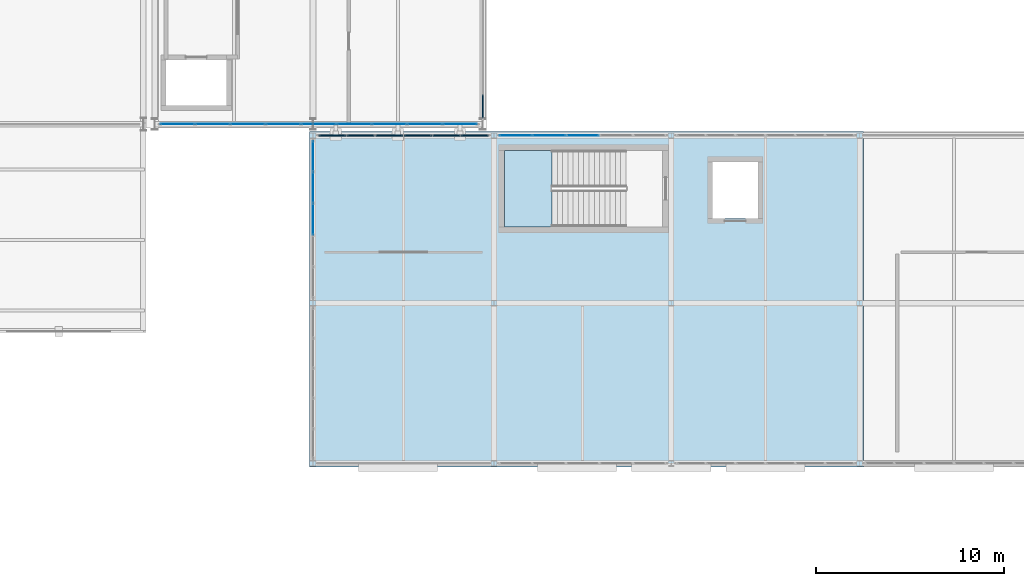
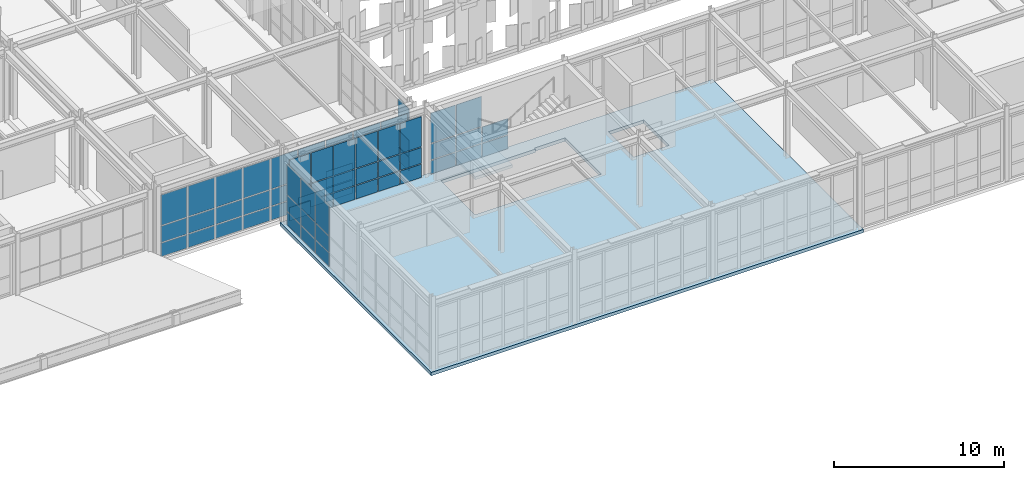
# One storey, part 191 of 239: 65 plates, 2 slabs, 6 elements without a shape of their own.
"""IFC4 building model written with IfcOpenShell, lengths in metres."""

from ifc_helpers import new_model, si_unit, direction, frame, origin, origin_2d, place, context, subcontext, project, spatial, polyline, rectangle, outline, extrude, material, layer, layer_set, type_object, element, aggregate, save


model = new_model("IFC4")

# Units and contexts
model_context = context("Model", 3, precision=1e-05, world=origin(), true_north=direction((0.0, 1.0)))
body_context = subcontext(model_context, "Body", "Model", "MODEL_VIEW")
ifc_project = project(units=[si_unit("LENGTHUNIT", "METRE"), si_unit("AREAUNIT", "SQUARE_METRE"), si_unit("VOLUMEUNIT", "CUBIC_METRE"), si_unit("PLANEANGLEUNIT", "RADIAN"), si_unit("MASSUNIT", "GRAM", prefix="KILO")], contexts=[model_context])

# Site, building, storey
site_placement = place(None, origin())
site = spatial("IfcSite", under=ifc_project, at=site_placement, CompositionType="ELEMENT")
building_placement = place(site_placement, origin())
building = spatial("IfcBuilding", under=site, at=building_placement, Name="Kaldris Quays Convention Centre", CompositionType="ELEMENT")
storey_placement = place(building_placement, frame((0.0, 0.0, 11.39990234375)))
storey = spatial("IfcBuildingStorey", under=building, at=storey_placement, Name="L02", CompositionType="ELEMENT", Elevation=11.39990234375)

# Curtain wall, plates
ifc_material_1 = material(Name="Anodized aluminium AW-6060 and triple glazing", Category="aluminium")
curtain_wall_type_1 = type_object("IfcCurtainWallType", Name="UNITISED CURTAIN WALL CW05", PredefinedType="NOTDEFINED", material=ifc_material_1)
curtain_wall_1_placement = place(storey_placement, origin())
curtain_wall_1 = element("IfcCurtainWall", 1, at=curtain_wall_1_placement, inside=storey, type_object=curtain_wall_type_1, Name="L02 Unitised Curtain Wall CW05 145", PredefinedType="NOTDEFINED")
ifc_material_2 = material(Name="Triple low-E insulated glazing", Category="glass")
plate_type_1 = type_object("IfcPlateType", Name="CURTAIN GLAZING PANEL CWP1", PredefinedType="CURTAIN_PANEL", material=ifc_material_2)
plate_1_placement = place(storey_placement, frame((147.803955078125, 38.0, 0.06005859375), z_axis=(0.0, 0.0, 1.0), x_axis=(1.0, 0.0, 0.0)))
plate_1 = element("IfcPlate", 2, at=plate_1_placement, type_object=plate_type_1, Name="CW05 panel 1.1", PredefinedType="CURTAIN_PANEL", context=body_context, shape_type="SweptSolid", body=[
    extrude(rectangle(XDim=1.787841796875, YDim=0.029052734375, at=origin_2d()), origin(), (0.0, 0.0, 1.0), 0.9599609375),
])
plate_2_placement = place(storey_placement, frame((147.803955078125, 38.0, 1.080078125), z_axis=(0.0, 0.0, 1.0), x_axis=(1.0, 0.0, 0.0)))
plate_2 = element("IfcPlate", 3, at=plate_2_placement, type_object=plate_type_1, Name="CW05 panel 1.2", PredefinedType="CURTAIN_PANEL", context=body_context, shape_type="SweptSolid", body=[
    extrude(rectangle(XDim=1.787841796875, YDim=0.029052734375, at=origin_2d()), origin(), (0.0, 0.0, 1.0), 1.1640625),
])
plate_3_placement = place(storey_placement, frame((147.803955078125, 38.0, 2.303955078125), z_axis=(0.0, 0.0, 1.0), x_axis=(1.0, 0.0, 0.0)))
plate_3 = element("IfcPlate", 4, at=plate_3_placement, type_object=plate_type_1, Name="CW05 panel 1.3", PredefinedType="CURTAIN_PANEL", context=body_context, shape_type="SweptSolid", body=[
    extrude(rectangle(XDim=1.787841796875, YDim=0.029052734375, at=origin_2d()), origin(), (0.0, 0.0, 1.0), 2.18408203125),
])
plate_4_placement = place(storey_placement, frame((149.666748046875, 38.0, 0.06005859375), z_axis=(0.0, 0.0, 1.0), x_axis=(1.0, 0.0, 0.0)))
plate_4 = element("IfcPlate", 5, at=plate_4_placement, type_object=plate_type_1, Name="CW05 panel 2.1", PredefinedType="CURTAIN_PANEL", context=body_context, shape_type="SweptSolid", body=[
    extrude(rectangle(XDim=1.81787109375, YDim=0.029052734375, at=origin_2d()), origin(), (0.0, 0.0, 1.0), 0.9599609375),
])
plate_5_placement = place(storey_placement, frame((149.666748046875, 38.0, 1.080078125), z_axis=(0.0, 0.0, 1.0), x_axis=(1.0, 0.0, 0.0)))
plate_5 = element("IfcPlate", 6, at=plate_5_placement, type_object=plate_type_1, Name="CW05 panel 2.2", PredefinedType="CURTAIN_PANEL", context=body_context, shape_type="SweptSolid", body=[
    extrude(rectangle(XDim=1.81787109375, YDim=0.029052734375, at=origin_2d()), origin(), (0.0, 0.0, 1.0), 1.1640625),
])
plate_6_placement = place(storey_placement, frame((149.666748046875, 38.0, 2.303955078125), z_axis=(0.0, 0.0, 1.0), x_axis=(1.0, 0.0, 0.0)))
plate_6 = element("IfcPlate", 7, at=plate_6_placement, type_object=plate_type_1, Name="CW05 panel 2.3", PredefinedType="CURTAIN_PANEL", context=body_context, shape_type="SweptSolid", body=[
    extrude(rectangle(XDim=1.81787109375, YDim=0.029052734375, at=origin_2d()), origin(), (0.0, 0.0, 1.0), 2.18408203125),
])
plate_7_placement = place(storey_placement, frame((151.54443359375, 38.0, 0.06005859375), z_axis=(0.0, 0.0, 1.0), x_axis=(1.0, 0.0, 0.0)))
plate_7 = element("IfcPlate", 8, at=plate_7_placement, type_object=plate_type_1, Name="CW05 panel 3.1", PredefinedType="CURTAIN_PANEL", context=body_context, shape_type="SweptSolid", body=[
    extrude(rectangle(XDim=1.81787109375, YDim=0.029052734375, at=origin_2d()), origin(), (0.0, 0.0, 1.0), 0.9599609375),
])
plate_8_placement = place(storey_placement, frame((151.54443359375, 38.0, 1.080078125), z_axis=(0.0, 0.0, 1.0), x_axis=(1.0, 0.0, 0.0)))
plate_8 = element("IfcPlate", 9, at=plate_8_placement, type_object=plate_type_1, Name="CW05 panel 3.2", PredefinedType="CURTAIN_PANEL", context=body_context, shape_type="SweptSolid", body=[
    extrude(rectangle(XDim=1.81787109375, YDim=0.029052734375, at=origin_2d()), origin(), (0.0, 0.0, 1.0), 1.1640625),
])
plate_9_placement = place(storey_placement, frame((151.54443359375, 38.0, 2.303955078125), z_axis=(0.0, 0.0, 1.0), x_axis=(1.0, 0.0, 0.0)))
plate_9 = element("IfcPlate", 10, at=plate_9_placement, type_object=plate_type_1, Name="CW05 panel 3.3", PredefinedType="CURTAIN_PANEL", context=body_context, shape_type="SweptSolid", body=[
    extrude(rectangle(XDim=1.81787109375, YDim=0.029052734375, at=origin_2d()), origin(), (0.0, 0.0, 1.0), 2.18408203125),
])
plate_10_placement = place(storey_placement, frame((153.422119140625, 38.0, 0.06005859375), z_axis=(0.0, 0.0, 1.0), x_axis=(1.0, 0.0, 0.0)))
plate_10 = element("IfcPlate", 11, at=plate_10_placement, type_object=plate_type_1, Name="CW05 panel 4.1", PredefinedType="CURTAIN_PANEL", context=body_context, shape_type="SweptSolid", body=[
    extrude(rectangle(XDim=1.81787109375, YDim=0.029052734375, at=origin_2d()), origin(), (0.0, 0.0, 1.0), 0.9599609375),
])
plate_11_placement = place(storey_placement, frame((153.422119140625, 38.0, 1.080078125), z_axis=(0.0, 0.0, 1.0), x_axis=(1.0, 0.0, 0.0)))
plate_11 = element("IfcPlate", 12, at=plate_11_placement, type_object=plate_type_1, Name="CW05 panel 4.2", PredefinedType="CURTAIN_PANEL", context=body_context, shape_type="SweptSolid", body=[
    extrude(rectangle(XDim=1.81787109375, YDim=0.029052734375, at=origin_2d()), origin(), (0.0, 0.0, 1.0), 1.1640625),
])
plate_12_placement = place(storey_placement, frame((153.422119140625, 38.0, 2.303955078125), z_axis=(0.0, 0.0, 1.0), x_axis=(1.0, 0.0, 0.0)))
plate_12 = element("IfcPlate", 13, at=plate_12_placement, type_object=plate_type_1, Name="CW05 panel 4.3", PredefinedType="CURTAIN_PANEL", context=body_context, shape_type="SweptSolid", body=[
    extrude(rectangle(XDim=1.81787109375, YDim=0.029052734375, at=origin_2d()), origin(), (0.0, 0.0, 1.0), 2.18408203125),
])
plate_13_placement = place(storey_placement, frame((155.300048828125, 38.0, 0.06005859375), z_axis=(0.0, 0.0, 1.0), x_axis=(1.0, 0.0, 0.0)))
plate_13 = element("IfcPlate", 14, at=plate_13_placement, type_object=plate_type_1, Name="CW05 panel 5.1", PredefinedType="CURTAIN_PANEL", context=body_context, shape_type="SweptSolid", body=[
    extrude(rectangle(XDim=1.81787109375, YDim=0.029052734375, at=origin_2d()), origin(), (0.0, 0.0, 1.0), 0.9599609375),
])
plate_14_placement = place(storey_placement, frame((155.300048828125, 38.0, 1.080078125), z_axis=(0.0, 0.0, 1.0), x_axis=(1.0, 0.0, 0.0)))
plate_14 = element("IfcPlate", 15, at=plate_14_placement, type_object=plate_type_1, Name="CW05 panel 5.2", PredefinedType="CURTAIN_PANEL", context=body_context, shape_type="SweptSolid", body=[
    extrude(rectangle(XDim=1.81787109375, YDim=0.029052734375, at=origin_2d()), origin(), (0.0, 0.0, 1.0), 1.1640625),
])
plate_15_placement = place(storey_placement, frame((155.300048828125, 38.0, 2.303955078125), z_axis=(0.0, 0.0, 1.0), x_axis=(1.0, 0.0, 0.0)))
plate_15 = element("IfcPlate", 16, at=plate_15_placement, type_object=plate_type_1, Name="CW05 panel 5.3", PredefinedType="CURTAIN_PANEL", context=body_context, shape_type="SweptSolid", body=[
    extrude(rectangle(XDim=1.81787109375, YDim=0.029052734375, at=origin_2d()), origin(), (0.0, 0.0, 1.0), 2.18408203125),
])
plate_16_placement = place(storey_placement, frame((157.177734375, 38.0, 0.06005859375), z_axis=(0.0, 0.0, 1.0), x_axis=(1.0, 0.0, 0.0)))
plate_16 = element("IfcPlate", 17, at=plate_16_placement, type_object=plate_type_1, Name="CW05 panel 6.1", PredefinedType="CURTAIN_PANEL", context=body_context, shape_type="SweptSolid", body=[
    extrude(rectangle(XDim=1.81787109375, YDim=0.029052734375, at=origin_2d()), origin(), (0.0, 0.0, 1.0), 0.9599609375),
])
plate_17_placement = place(storey_placement, frame((157.177734375, 38.0, 1.080078125), z_axis=(0.0, 0.0, 1.0), x_axis=(1.0, 0.0, 0.0)))
plate_17 = element("IfcPlate", 18, at=plate_17_placement, type_object=plate_type_1, Name="CW05 panel 6.2", PredefinedType="CURTAIN_PANEL", context=body_context, shape_type="SweptSolid", body=[
    extrude(rectangle(XDim=1.81787109375, YDim=0.029052734375, at=origin_2d()), origin(), (0.0, 0.0, 1.0), 1.1640625),
])
plate_18_placement = place(storey_placement, frame((157.177734375, 38.0, 2.303955078125), z_axis=(0.0, 0.0, 1.0), x_axis=(1.0, 0.0, 0.0)))
plate_18 = element("IfcPlate", 19, at=plate_18_placement, type_object=plate_type_1, Name="CW05 panel 6.3", PredefinedType="CURTAIN_PANEL", context=body_context, shape_type="SweptSolid", body=[
    extrude(rectangle(XDim=1.81787109375, YDim=0.029052734375, at=origin_2d()), origin(), (0.0, 0.0, 1.0), 2.18408203125),
])
plate_19_placement = place(storey_placement, frame((159.0556640625, 38.0, 0.06005859375), z_axis=(0.0, 0.0, 1.0), x_axis=(1.0, 0.0, 0.0)))
plate_19 = element("IfcPlate", 20, at=plate_19_placement, type_object=plate_type_1, Name="CW05 panel 7.1", PredefinedType="CURTAIN_PANEL", context=body_context, shape_type="SweptSolid", body=[
    extrude(rectangle(XDim=1.81787109375, YDim=0.029052734375, at=origin_2d()), origin(), (0.0, 0.0, 1.0), 0.9599609375),
])
plate_20_placement = place(storey_placement, frame((159.0556640625, 38.0, 1.080078125), z_axis=(0.0, 0.0, 1.0), x_axis=(1.0, 0.0, 0.0)))
plate_20 = element("IfcPlate", 21, at=plate_20_placement, type_object=plate_type_1, Name="CW05 panel 7.2", PredefinedType="CURTAIN_PANEL", context=body_context, shape_type="SweptSolid", body=[
    extrude(rectangle(XDim=1.81787109375, YDim=0.029052734375, at=origin_2d()), origin(), (0.0, 0.0, 1.0), 1.1640625),
])
plate_21_placement = place(storey_placement, frame((159.0556640625, 38.0, 2.303955078125), z_axis=(0.0, 0.0, 1.0), x_axis=(1.0, 0.0, 0.0)))
plate_21 = element("IfcPlate", 22, at=plate_21_placement, type_object=plate_type_1, Name="CW05 panel 7.3", PredefinedType="CURTAIN_PANEL", context=body_context, shape_type="SweptSolid", body=[
    extrude(rectangle(XDim=1.81787109375, YDim=0.029052734375, at=origin_2d()), origin(), (0.0, 0.0, 1.0), 2.18408203125),
])
plate_22_placement = place(storey_placement, frame((160.933349609375, 38.0, 0.06005859375), z_axis=(0.0, 0.0, 1.0), x_axis=(1.0, 0.0, 0.0)))
plate_22 = element("IfcPlate", 23, at=plate_22_placement, type_object=plate_type_1, Name="CW05 panel 8.1", PredefinedType="CURTAIN_PANEL", context=body_context, shape_type="SweptSolid", body=[
    extrude(rectangle(XDim=1.81787109375, YDim=0.029052734375, at=origin_2d()), origin(), (0.0, 0.0, 1.0), 0.9599609375),
])
plate_23_placement = place(storey_placement, frame((160.933349609375, 38.0, 1.080078125), z_axis=(0.0, 0.0, 1.0), x_axis=(1.0, 0.0, 0.0)))
plate_23 = element("IfcPlate", 24, at=plate_23_placement, type_object=plate_type_1, Name="CW05 panel 8.2", PredefinedType="CURTAIN_PANEL", context=body_context, shape_type="SweptSolid", body=[
    extrude(rectangle(XDim=1.81787109375, YDim=0.029052734375, at=origin_2d()), origin(), (0.0, 0.0, 1.0), 1.1640625),
])
plate_24_placement = place(storey_placement, frame((160.933349609375, 38.0, 2.303955078125), z_axis=(0.0, 0.0, 1.0), x_axis=(1.0, 0.0, 0.0)))
plate_24 = element("IfcPlate", 25, at=plate_24_placement, type_object=plate_type_1, Name="CW05 panel 8.3", PredefinedType="CURTAIN_PANEL", context=body_context, shape_type="SweptSolid", body=[
    extrude(rectangle(XDim=1.81787109375, YDim=0.029052734375, at=origin_2d()), origin(), (0.0, 0.0, 1.0), 2.18408203125),
])
plate_25_placement = place(storey_placement, frame((162.796142578125, 38.0, 0.06005859375), z_axis=(0.0, 0.0, 1.0), x_axis=(1.0, 0.0, 0.0)))
plate_25 = element("IfcPlate", 26, at=plate_25_placement, type_object=plate_type_1, Name="CW05 panel 9.1", PredefinedType="CURTAIN_PANEL", context=body_context, shape_type="SweptSolid", body=[
    extrude(rectangle(XDim=1.787841796875, YDim=0.029052734375, at=origin_2d()), origin(), (0.0, 0.0, 1.0), 0.9599609375),
])
plate_26_placement = place(storey_placement, frame((162.796142578125, 38.0, 1.080078125), z_axis=(0.0, 0.0, 1.0), x_axis=(1.0, 0.0, 0.0)))
plate_26 = element("IfcPlate", 27, at=plate_26_placement, type_object=plate_type_1, Name="CW05 panel 9.2", PredefinedType="CURTAIN_PANEL", context=body_context, shape_type="SweptSolid", body=[
    extrude(rectangle(XDim=1.787841796875, YDim=0.029052734375, at=origin_2d()), origin(), (0.0, 0.0, 1.0), 1.1640625),
])
plate_27_placement = place(storey_placement, frame((162.796142578125, 38.0, 2.303955078125), z_axis=(0.0, 0.0, 1.0), x_axis=(1.0, 0.0, 0.0)))
plate_27 = element("IfcPlate", 28, at=plate_27_placement, type_object=plate_type_1, Name="CW05 panel 9.3", PredefinedType="CURTAIN_PANEL", context=body_context, shape_type="SweptSolid", body=[
    extrude(rectangle(XDim=1.787841796875, YDim=0.029052734375, at=origin_2d()), origin(), (0.0, 0.0, 1.0), 2.18408203125),
])
aggregate(curtain_wall_1, [plate_1, plate_2, plate_3, plate_4, plate_5, plate_6, plate_7, plate_8, plate_9, plate_10, plate_11, plate_12, plate_13, plate_14, plate_15, plate_16, plate_17, plate_18, plate_19, plate_20, plate_21, plate_22, plate_23, plate_24, plate_25, plate_26, plate_27])

curtain_wall_type_2 = type_object("IfcCurtainWallType", Name="UNITISED CURTAIN WALL CW02", PredefinedType="NOTDEFINED", material=ifc_material_1)
curtain_wall_2_placement = place(storey_placement, origin())
curtain_wall_2 = element("IfcCurtainWall", 29, at=curtain_wall_2_placement, inside=storey, type_object=curtain_wall_type_2, Name="L02 Unitised Curtain Wall CW02 202", PredefinedType="NOTDEFINED")
plate_type_2 = type_object("IfcPlateType", Name="CURTAIN GLAZING PANEL CWP2", PredefinedType="CURTAIN_PANEL", material=ifc_material_2)
plate_28_placement = place(storey_placement, frame((165.7548828125, 37.39990234375, 0.06005859375), z_axis=(0.0, 0.0, 1.0), x_axis=(1.0, 0.0, 0.0)))
plate_28 = element("IfcPlate", 30, at=plate_28_placement, type_object=plate_type_2, Name="CW02 panel 1.1", PredefinedType="CURTAIN_PANEL", context=body_context, shape_type="SweptSolid", body=[
    extrude(rectangle(XDim=1.68994140625, YDim=0.033935546875, at=origin_2d()), origin(), (0.0, 0.0, 1.0), 0.9599609375),
])
plate_29_placement = place(storey_placement, frame((165.7548828125, 37.39990234375, 1.080078125), z_axis=(0.0, 0.0, 1.0), x_axis=(1.0, 0.0, 0.0)))
plate_29 = element("IfcPlate", 31, at=plate_29_placement, type_object=plate_type_2, Name="CW02 panel 1.2", PredefinedType="CURTAIN_PANEL", context=body_context, shape_type="SweptSolid", body=[
    extrude(rectangle(XDim=1.68994140625, YDim=0.033935546875, at=origin_2d()), origin(), (0.0, 0.0, 1.0), 1.138916015625),
])
plate_30_placement = place(storey_placement, frame((165.7548828125, 37.39990234375, 2.279296875), z_axis=(0.0, 0.0, 1.0), x_axis=(1.0, 0.0, 0.0)))
plate_30 = element("IfcPlate", 32, at=plate_30_placement, type_object=plate_type_2, Name="CW02 panel 1.3", PredefinedType="CURTAIN_PANEL", context=body_context, shape_type="SweptSolid", body=[
    extrude(rectangle(XDim=1.68994140625, YDim=0.033935546875, at=origin_2d()), origin(), (0.0, 0.0, 1.0), 2.158935546875),
])
plate_31_placement = place(storey_placement, frame((167.52001953125, 37.39990234375, 0.06005859375), z_axis=(0.0, 0.0, 1.0), x_axis=(1.0, 0.0, 0.0)))
plate_31 = element("IfcPlate", 33, at=plate_31_placement, type_object=plate_type_2, Name="CW02 panel 2.1", PredefinedType="CURTAIN_PANEL", context=body_context, shape_type="SweptSolid", body=[
    extrude(rectangle(XDim=1.719970703125, YDim=0.033935546875, at=origin_2d()), origin(), (0.0, 0.0, 1.0), 0.9599609375),
])
plate_32_placement = place(storey_placement, frame((167.52001953125, 37.39990234375, 1.080078125), z_axis=(0.0, 0.0, 1.0), x_axis=(1.0, 0.0, 0.0)))
plate_32 = element("IfcPlate", 34, at=plate_32_placement, type_object=plate_type_2, Name="CW02 panel 2.2", PredefinedType="CURTAIN_PANEL", context=body_context, shape_type="SweptSolid", body=[
    extrude(rectangle(XDim=1.719970703125, YDim=0.033935546875, at=origin_2d()), origin(), (0.0, 0.0, 1.0), 1.138916015625),
])
plate_33_placement = place(storey_placement, frame((167.52001953125, 37.39990234375, 2.279296875), z_axis=(0.0, 0.0, 1.0), x_axis=(1.0, 0.0, 0.0)))
plate_33 = element("IfcPlate", 35, at=plate_33_placement, type_object=plate_type_2, Name="CW02 panel 2.3", PredefinedType="CURTAIN_PANEL", context=body_context, shape_type="SweptSolid", body=[
    extrude(rectangle(XDim=1.719970703125, YDim=0.033935546875, at=origin_2d()), origin(), (0.0, 0.0, 1.0), 2.158935546875),
])
plate_34_placement = place(storey_placement, frame((169.300048828125, 37.39990234375, 0.06005859375), z_axis=(0.0, 0.0, 1.0), x_axis=(1.0, 0.0, 0.0)))
plate_34 = element("IfcPlate", 36, at=plate_34_placement, type_object=plate_type_2, Name="CW02 panel 3.1", PredefinedType="CURTAIN_PANEL", context=body_context, shape_type="SweptSolid", body=[
    extrude(rectangle(XDim=1.719970703125, YDim=0.033935546875, at=origin_2d()), origin(), (0.0, 0.0, 1.0), 0.9599609375),
])
plate_35_placement = place(storey_placement, frame((169.300048828125, 37.39990234375, 1.080078125), z_axis=(0.0, 0.0, 1.0), x_axis=(1.0, 0.0, 0.0)))
plate_35 = element("IfcPlate", 37, at=plate_35_placement, type_object=plate_type_2, Name="CW02 panel 3.2", PredefinedType="CURTAIN_PANEL", context=body_context, shape_type="SweptSolid", body=[
    extrude(rectangle(XDim=1.719970703125, YDim=0.033935546875, at=origin_2d()), origin(), (0.0, 0.0, 1.0), 1.138916015625),
])
aggregate(curtain_wall_2, [plate_28, plate_29, plate_30, plate_31, plate_32, plate_33, plate_34, plate_35])

curtain_wall_3_placement = place(storey_placement, origin())
curtain_wall_3 = element("IfcCurtainWall", 38, at=curtain_wall_3_placement, inside=storey, type_object=curtain_wall_type_2, Name="L02 Unitised Curtain Wall CW02 211", PredefinedType="NOTDEFINED")
plate_type_3 = type_object("IfcPlateType", Name="CURTAIN GLAZING PANEL CWP3", PredefinedType="CURTAIN_PANEL", material=ifc_material_2)
plate_36_placement = place(storey_placement, frame((155.0, 32.949951171875, 0.06005859375), z_axis=(0.0, 0.0, 1.0), x_axis=(0.0, 1.0, 0.0)))
plate_36 = element("IfcPlate", 39, at=plate_36_placement, type_object=plate_type_3, Name="CW02 panel 3.1", PredefinedType="CURTAIN_PANEL", context=body_context, shape_type="SweptSolid", body=[
    extrude(rectangle(XDim=1.6201171875, YDim=0.0390625, at=origin_2d()), origin(), (0.0, 0.0, 1.0), 0.9599609375),
])
plate_37_placement = place(storey_placement, frame((155.0, 32.949951171875, 1.080078125), z_axis=(0.0, 0.0, 1.0), x_axis=(0.0, 1.0, 0.0)))
plate_37 = element("IfcPlate", 40, at=plate_37_placement, type_object=plate_type_3, Name="CW02 panel 3.2", PredefinedType="CURTAIN_PANEL", context=body_context, shape_type="SweptSolid", body=[
    extrude(rectangle(XDim=1.6201171875, YDim=0.0390625, at=origin_2d()), origin(), (0.0, 0.0, 1.0), 1.138916015625),
])
plate_38_placement = place(storey_placement, frame((155.0, 32.949951171875, 2.279296875), z_axis=(0.0, 0.0, 1.0), x_axis=(0.0, 1.0, 0.0)))
plate_38 = element("IfcPlate", 41, at=plate_38_placement, type_object=plate_type_3, Name="CW02 panel 3.3", PredefinedType="CURTAIN_PANEL", context=body_context, shape_type="SweptSolid", body=[
    extrude(rectangle(XDim=1.6201171875, YDim=0.0390625, at=origin_2d()), origin(), (0.0, 0.0, 1.0), 2.158935546875),
])
plate_39_placement = place(storey_placement, frame((155.0, 34.6298828125, 0.06005859375), z_axis=(0.0, 0.0, 1.0), x_axis=(0.0, 1.0, 0.0)))
plate_39 = element("IfcPlate", 42, at=plate_39_placement, type_object=plate_type_3, Name="CW02 panel 4.1", PredefinedType="CURTAIN_PANEL", context=body_context, shape_type="SweptSolid", body=[
    extrude(rectangle(XDim=1.6201171875, YDim=0.0390625, at=origin_2d()), origin(), (0.0, 0.0, 1.0), 0.9599609375),
])
plate_40_placement = place(storey_placement, frame((155.0, 34.6298828125, 1.080078125), z_axis=(0.0, 0.0, 1.0), x_axis=(0.0, 1.0, 0.0)))
plate_40 = element("IfcPlate", 43, at=plate_40_placement, type_object=plate_type_3, Name="CW02 panel 4.2", PredefinedType="CURTAIN_PANEL", context=body_context, shape_type="SweptSolid", body=[
    extrude(rectangle(XDim=1.6201171875, YDim=0.0390625, at=origin_2d()), origin(), (0.0, 0.0, 1.0), 1.138916015625),
])
plate_41_placement = place(storey_placement, frame((155.0, 34.6298828125, 2.279296875), z_axis=(0.0, 0.0, 1.0), x_axis=(0.0, 1.0, 0.0)))
plate_41 = element("IfcPlate", 44, at=plate_41_placement, type_object=plate_type_3, Name="CW02 panel 4.3", PredefinedType="CURTAIN_PANEL", context=body_context, shape_type="SweptSolid", body=[
    extrude(rectangle(XDim=1.6201171875, YDim=0.0390625, at=origin_2d()), origin(), (0.0, 0.0, 1.0), 2.158935546875),
])
plate_42_placement = place(storey_placement, frame((155.0, 36.294921875, 0.06005859375), z_axis=(0.0, 0.0, 1.0), x_axis=(0.0, 1.0, 0.0)))
plate_42 = element("IfcPlate", 45, at=plate_42_placement, type_object=plate_type_3, Name="CW02 panel 5.1", PredefinedType="CURTAIN_PANEL", context=body_context, shape_type="SweptSolid", body=[
    extrude(rectangle(XDim=1.590087890625, YDim=0.0390625, at=origin_2d()), origin(), (0.0, 0.0, 1.0), 0.9599609375),
])
plate_43_placement = place(storey_placement, frame((155.0, 36.294921875, 1.080078125), z_axis=(0.0, 0.0, 1.0), x_axis=(0.0, 1.0, 0.0)))
plate_43 = element("IfcPlate", 46, at=plate_43_placement, type_object=plate_type_3, Name="CW02 panel 5.2", PredefinedType="CURTAIN_PANEL", context=body_context, shape_type="SweptSolid", body=[
    extrude(rectangle(XDim=1.590087890625, YDim=0.0390625, at=origin_2d()), origin(), (0.0, 0.0, 1.0), 1.138916015625),
])
plate_44_placement = place(storey_placement, frame((155.0, 36.294921875, 2.279296875), z_axis=(0.0, 0.0, 1.0), x_axis=(0.0, 1.0, 0.0)))
plate_44 = element("IfcPlate", 47, at=plate_44_placement, type_object=plate_type_3, Name="CW02 panel 5.3", PredefinedType="CURTAIN_PANEL", context=body_context, shape_type="SweptSolid", body=[
    extrude(rectangle(XDim=1.590087890625, YDim=0.0390625, at=origin_2d()), origin(), (0.0, 0.0, 1.0), 2.158935546875),
])
aggregate(curtain_wall_3, [plate_36, plate_37, plate_38, plate_39, plate_40, plate_41, plate_42, plate_43, plate_44])

curtain_wall_type_3 = type_object("IfcCurtainWallType", Name="UNITISED CURTAIN WALL CW04", PredefinedType="NOTDEFINED", material=ifc_material_1)
curtain_wall_4_placement = place(storey_placement, origin())
curtain_wall_4 = element("IfcCurtainWall", 48, at=curtain_wall_4_placement, inside=storey, type_object=curtain_wall_type_3, Name="L02 Unitised Curtain Wall CW04 142", PredefinedType="NOTDEFINED")
plate_type_4 = type_object("IfcPlateType", Name="CURTAIN GLAZING PANEL CWP6", PredefinedType="CURTAIN_PANEL", material=ifc_material_2)
plate_45_placement = place(storey_placement, frame((164.0, 38.93994140625, 0.06005859375), z_axis=(0.0, 0.0, 1.0), x_axis=(0.0, 1.0, 0.0)))
plate_45 = element("IfcPlate", 49, at=plate_45_placement, type_object=plate_type_4, Name="CW04 panel 1.1", PredefinedType="CURTAIN_PANEL", context=body_context, shape_type="SweptSolid", body=[
    extrude(rectangle(XDim=1.260009765625, YDim=0.053955078125, at=origin_2d()), origin(), (0.0, 0.0, 1.0), 0.9599609375),
])
plate_46_placement = place(storey_placement, frame((164.0, 38.93994140625, 1.080078125), z_axis=(0.0, 0.0, 1.0), x_axis=(0.0, 1.0, 0.0)))
plate_46 = element("IfcPlate", 50, at=plate_46_placement, type_object=plate_type_4, Name="CW04 panel 1.2", PredefinedType="CURTAIN_PANEL", context=body_context, shape_type="SweptSolid", body=[
    extrude(rectangle(XDim=1.260009765625, YDim=0.053955078125, at=origin_2d()), origin(), (0.0, 0.0, 1.0), 1.1640625),
])
plate_47_placement = place(storey_placement, frame((164.0, 38.93994140625, 2.303955078125), z_axis=(0.0, 0.0, 1.0), x_axis=(0.0, 1.0, 0.0)))
plate_47 = element("IfcPlate", 51, at=plate_47_placement, type_object=plate_type_4, Name="CW04 panel 1.3", PredefinedType="CURTAIN_PANEL", context=body_context, shape_type="SweptSolid", body=[
    extrude(rectangle(XDim=1.260009765625, YDim=0.053955078125, at=origin_2d()), origin(), (0.0, 0.0, 1.0), 2.18408203125),
])
aggregate(curtain_wall_4, [plate_45, plate_46, plate_47])

curtain_wall_5_placement = place(storey_placement, origin())
curtain_wall_5 = element("IfcCurtainWall", 52, at=curtain_wall_5_placement, inside=storey, type_object=curtain_wall_type_2, Name="L02 Unitised Curtain Wall CW02 200", PredefinedType="NOTDEFINED")
plate_type_5 = type_object("IfcPlateType", Name="CURTAIN GLAZING PANEL CWP8", PredefinedType="CURTAIN_PANEL", material=ifc_material_2)
plate_48_placement = place(storey_placement, frame((156.0234375, 37.39990234375, 0.06005859375), z_axis=(0.0, 0.0, 1.0), x_axis=(1.0, 0.0, 0.0)))
plate_48 = element("IfcPlate", 53, at=plate_48_placement, type_object=plate_type_5, Name="CW02 panel 1.1", PredefinedType="CURTAIN_PANEL", context=body_context, shape_type="SweptSolid", body=[
    extrude(rectangle(XDim=1.4267578125, YDim=0.06396484375, at=origin_2d()), origin(), (0.0, 0.0, 1.0), 0.9599609375),
])
plate_49_placement = place(storey_placement, frame((156.0234375, 37.39990234375, 1.080078125), z_axis=(0.0, 0.0, 1.0), x_axis=(1.0, 0.0, 0.0)))
plate_49 = element("IfcPlate", 54, at=plate_49_placement, type_object=plate_type_5, Name="CW02 panel 1.2", PredefinedType="CURTAIN_PANEL", context=body_context, shape_type="SweptSolid", body=[
    extrude(rectangle(XDim=1.4267578125, YDim=0.06396484375, at=origin_2d()), origin(), (0.0, 0.0, 1.0), 1.138916015625),
])
plate_50_placement = place(storey_placement, frame((156.0234375, 37.39990234375, 2.279296875), z_axis=(0.0, 0.0, 1.0), x_axis=(1.0, 0.0, 0.0)))
plate_50 = element("IfcPlate", 55, at=plate_50_placement, type_object=plate_type_5, Name="CW02 panel 1.3", PredefinedType="CURTAIN_PANEL", context=body_context, shape_type="SweptSolid", body=[
    extrude(rectangle(XDim=1.4267578125, YDim=0.06396484375, at=origin_2d()), origin(), (0.0, 0.0, 1.0), 2.158935546875),
])
plate_51_placement = place(storey_placement, frame((157.52490234375, 37.39990234375, 0.06005859375), z_axis=(0.0, 0.0, 1.0), x_axis=(1.0, 0.0, 0.0)))
plate_51 = element("IfcPlate", 56, at=plate_51_placement, type_object=plate_type_5, Name="CW02 panel 2.1", PredefinedType="CURTAIN_PANEL", context=body_context, shape_type="SweptSolid", body=[
    extrude(rectangle(XDim=1.456787109375, YDim=0.06396484375, at=origin_2d()), origin(), (0.0, 0.0, 1.0), 0.9599609375),
])
plate_52_placement = place(storey_placement, frame((157.52490234375, 37.39990234375, 1.080078125), z_axis=(0.0, 0.0, 1.0), x_axis=(1.0, 0.0, 0.0)))
plate_52 = element("IfcPlate", 57, at=plate_52_placement, type_object=plate_type_5, Name="CW02 panel 2.2", PredefinedType="CURTAIN_PANEL", context=body_context, shape_type="SweptSolid", body=[
    extrude(rectangle(XDim=1.456787109375, YDim=0.06396484375, at=origin_2d()), origin(), (0.0, 0.0, 1.0), 1.138916015625),
])
plate_53_placement = place(storey_placement, frame((157.52490234375, 37.39990234375, 2.279296875), z_axis=(0.0, 0.0, 1.0), x_axis=(1.0, 0.0, 0.0)))
plate_53 = element("IfcPlate", 58, at=plate_53_placement, type_object=plate_type_5, Name="CW02 panel 2.3", PredefinedType="CURTAIN_PANEL", context=body_context, shape_type="SweptSolid", body=[
    extrude(rectangle(XDim=1.456787109375, YDim=0.06396484375, at=origin_2d()), origin(), (0.0, 0.0, 1.0), 2.158935546875),
])
plate_54_placement = place(storey_placement, frame((159.041748046875, 37.39990234375, 0.06005859375), z_axis=(0.0, 0.0, 1.0), x_axis=(1.0, 0.0, 0.0)))
plate_54 = element("IfcPlate", 59, at=plate_54_placement, type_object=plate_type_5, Name="CW02 panel 3.1", PredefinedType="CURTAIN_PANEL", context=body_context, shape_type="SweptSolid", body=[
    extrude(rectangle(XDim=1.456787109375, YDim=0.06396484375, at=origin_2d()), origin(), (0.0, 0.0, 1.0), 0.9599609375),
])
plate_55_placement = place(storey_placement, frame((159.041748046875, 37.39990234375, 1.080078125), z_axis=(0.0, 0.0, 1.0), x_axis=(1.0, 0.0, 0.0)))
plate_55 = element("IfcPlate", 60, at=plate_55_placement, type_object=plate_type_5, Name="CW02 panel 3.2", PredefinedType="CURTAIN_PANEL", context=body_context, shape_type="SweptSolid", body=[
    extrude(rectangle(XDim=1.456787109375, YDim=0.06396484375, at=origin_2d()), origin(), (0.0, 0.0, 1.0), 1.138916015625),
])
plate_56_placement = place(storey_placement, frame((159.041748046875, 37.39990234375, 2.279296875), z_axis=(0.0, 0.0, 1.0), x_axis=(1.0, 0.0, 0.0)))
plate_56 = element("IfcPlate", 61, at=plate_56_placement, type_object=plate_type_5, Name="CW02 panel 3.3", PredefinedType="CURTAIN_PANEL", context=body_context, shape_type="SweptSolid", body=[
    extrude(rectangle(XDim=1.456787109375, YDim=0.06396484375, at=origin_2d()), origin(), (0.0, 0.0, 1.0), 2.158935546875),
])
plate_57_placement = place(storey_placement, frame((160.558349609375, 37.39990234375, 0.06005859375), z_axis=(0.0, 0.0, 1.0), x_axis=(1.0, 0.0, 0.0)))
plate_57 = element("IfcPlate", 62, at=plate_57_placement, type_object=plate_type_5, Name="CW02 panel 4.1", PredefinedType="CURTAIN_PANEL", context=body_context, shape_type="SweptSolid", body=[
    extrude(rectangle(XDim=1.456787109375, YDim=0.06396484375, at=origin_2d()), origin(), (0.0, 0.0, 1.0), 0.9599609375),
])
plate_58_placement = place(storey_placement, frame((160.558349609375, 37.39990234375, 1.080078125), z_axis=(0.0, 0.0, 1.0), x_axis=(1.0, 0.0, 0.0)))
plate_58 = element("IfcPlate", 63, at=plate_58_placement, type_object=plate_type_5, Name="CW02 panel 4.2", PredefinedType="CURTAIN_PANEL", context=body_context, shape_type="SweptSolid", body=[
    extrude(rectangle(XDim=1.456787109375, YDim=0.06396484375, at=origin_2d()), origin(), (0.0, 0.0, 1.0), 1.138916015625),
])
plate_59_placement = place(storey_placement, frame((160.558349609375, 37.39990234375, 2.279296875), z_axis=(0.0, 0.0, 1.0), x_axis=(1.0, 0.0, 0.0)))
plate_59 = element("IfcPlate", 64, at=plate_59_placement, type_object=plate_type_5, Name="CW02 panel 4.3", PredefinedType="CURTAIN_PANEL", context=body_context, shape_type="SweptSolid", body=[
    extrude(rectangle(XDim=1.456787109375, YDim=0.06396484375, at=origin_2d()), origin(), (0.0, 0.0, 1.0), 2.158935546875),
])
plate_60_placement = place(storey_placement, frame((162.074951171875, 37.39990234375, 0.06005859375), z_axis=(0.0, 0.0, 1.0), x_axis=(1.0, 0.0, 0.0)))
plate_60 = element("IfcPlate", 65, at=plate_60_placement, type_object=plate_type_5, Name="CW02 panel 5.1", PredefinedType="CURTAIN_PANEL", context=body_context, shape_type="SweptSolid", body=[
    extrude(rectangle(XDim=1.456787109375, YDim=0.06396484375, at=origin_2d()), origin(), (0.0, 0.0, 1.0), 0.9599609375),
])
plate_61_placement = place(storey_placement, frame((162.074951171875, 37.39990234375, 1.080078125), z_axis=(0.0, 0.0, 1.0), x_axis=(1.0, 0.0, 0.0)))
plate_61 = element("IfcPlate", 66, at=plate_61_placement, type_object=plate_type_5, Name="CW02 panel 5.2", PredefinedType="CURTAIN_PANEL", context=body_context, shape_type="SweptSolid", body=[
    extrude(rectangle(XDim=1.456787109375, YDim=0.06396484375, at=origin_2d()), origin(), (0.0, 0.0, 1.0), 1.138916015625),
])
plate_62_placement = place(storey_placement, frame((162.074951171875, 37.39990234375, 2.279296875), z_axis=(0.0, 0.0, 1.0), x_axis=(1.0, 0.0, 0.0)))
plate_62 = element("IfcPlate", 67, at=plate_62_placement, type_object=plate_type_5, Name="CW02 panel 5.3", PredefinedType="CURTAIN_PANEL", context=body_context, shape_type="SweptSolid", body=[
    extrude(rectangle(XDim=1.456787109375, YDim=0.06396484375, at=origin_2d()), origin(), (0.0, 0.0, 1.0), 2.158935546875),
])
plate_63_placement = place(storey_placement, frame((163.57666015625, 37.39990234375, 0.06005859375), z_axis=(0.0, 0.0, 1.0), x_axis=(1.0, 0.0, 0.0)))
plate_63 = element("IfcPlate", 68, at=plate_63_placement, type_object=plate_type_5, Name="CW02 panel 6.1", PredefinedType="CURTAIN_PANEL", context=body_context, shape_type="SweptSolid", body=[
    extrude(rectangle(XDim=1.4267578125, YDim=0.06396484375, at=origin_2d()), origin(), (0.0, 0.0, 1.0), 0.9599609375),
])
plate_64_placement = place(storey_placement, frame((163.57666015625, 37.39990234375, 1.080078125), z_axis=(0.0, 0.0, 1.0), x_axis=(1.0, 0.0, 0.0)))
plate_64 = element("IfcPlate", 69, at=plate_64_placement, type_object=plate_type_5, Name="CW02 panel 6.2", PredefinedType="CURTAIN_PANEL", context=body_context, shape_type="SweptSolid", body=[
    extrude(rectangle(XDim=1.4267578125, YDim=0.06396484375, at=origin_2d()), origin(), (0.0, 0.0, 1.0), 1.138916015625),
])
plate_65_placement = place(storey_placement, frame((163.57666015625, 37.39990234375, 2.279296875), z_axis=(0.0, 0.0, 1.0), x_axis=(1.0, 0.0, 0.0)))
plate_65 = element("IfcPlate", 70, at=plate_65_placement, type_object=plate_type_5, Name="CW02 panel 6.3", PredefinedType="CURTAIN_PANEL", context=body_context, shape_type="SweptSolid", body=[
    extrude(rectangle(XDim=1.4267578125, YDim=0.06396484375, at=origin_2d()), origin(), (0.0, 0.0, 1.0), 2.158935546875),
])
aggregate(curtain_wall_5, [plate_48, plate_49, plate_50, plate_51, plate_52, plate_53, plate_54, plate_55, plate_56, plate_57, plate_58, plate_59, plate_60, plate_61, plate_62, plate_63, plate_64, plate_65])

# Stair, slab
ifc_material_3 = material(Name="Concrete C35/45", Category="concrete")
stair_type = type_object("IfcStairType", Name="DOGLEG ESCAPE STAIR STF1", PredefinedType="TWO_STRAIGHT_RUN_STAIR", material=ifc_material_3)
stair_placement = place(storey_placement, origin())
stair = element("IfcStair", 71, at=stair_placement, inside=storey, type_object=stair_type, Name="L02 Escape Stair ST15", PredefinedType="TWO_STRAIGHT_RUN_STAIR")
ifc_layer_1 = layer(ifc_material_3, 0.205078125)
ifc_layer_set_1 = layer_set([ifc_layer_1], Name="Concrete C35/45")
slab_type_1 = type_object("IfcSlabType", Name="STAIR LANDING SLAB LS01", PredefinedType="LANDING", material=ifc_layer_set_1)
slab_1_placement = place(storey_placement, frame((0.0, 0.0, 2.4951171875)))
slab_1 = element("IfcSlab", 72, at=slab_1_placement, type_object=slab_type_1, Name="STF1 landing 1", PredefinedType="LANDING", context=body_context, shape_type="SweptSolid", body=[
    extrude(outline(polyline([(167.679931640625, 36.60009765625), (165.14990234375, 36.60009765625), (165.14990234375, 32.550048828125), (167.679931640625, 32.550048828125), (167.679931640625, 36.60009765625)])), origin(), (0.0, 0.0, 1.0), 0.205078125),
])
aggregate(stair, [slab_1])

# Slab
ifc_layer_2 = layer(ifc_material_3, 0.235107421875)
ifc_layer_set_2 = layer_set([ifc_layer_2], Name="Concrete C35/45")
slab_type_2 = type_object("IfcSlabType", Name="STRUCTURAL SLAB FS07", PredefinedType="FLOOR", material=ifc_layer_set_2)
slab_2_placement = place(storey_placement, frame((0.0, 0.0, -0.23486328125)))
element("IfcSlab", 73, at=slab_2_placement, inside=storey, type_object=slab_type_2, Name="L02 V5 L02 Restaurant A SLAB-L02-V5A", PredefinedType="FLOOR", context=body_context, shape_type="SweptSolid", body=[
    extrude(outline(polyline([(154.800048828125, 19.800048828125), (154.800048828125, 37.60009765625), (184.199951171875, 37.60009765625), (184.199951171875, 19.800048828125), (154.800048828125, 19.800048828125)]), holes=[polyline([(178.60009765625, 36.0), (176.199951171875, 36.0), (176.199951171875, 33.0), (178.60009765625, 33.0), (178.60009765625, 36.0)]), polyline([(171.597900390625, 36.719970703125), (171.597900390625, 36.60009765625), (165.14990234375, 36.60009765625), (165.14990234375, 32.550048828125), (171.597900390625, 32.550048828125), (171.599853515625, 32.427978515625), (173.671142578125, 32.42822265625), (173.671875, 36.720947265625), (171.597900390625, 36.719970703125)])]), origin(), (0.0, 0.0, 1.0), 0.23486328125),
])

save(model, "model.ifc")
